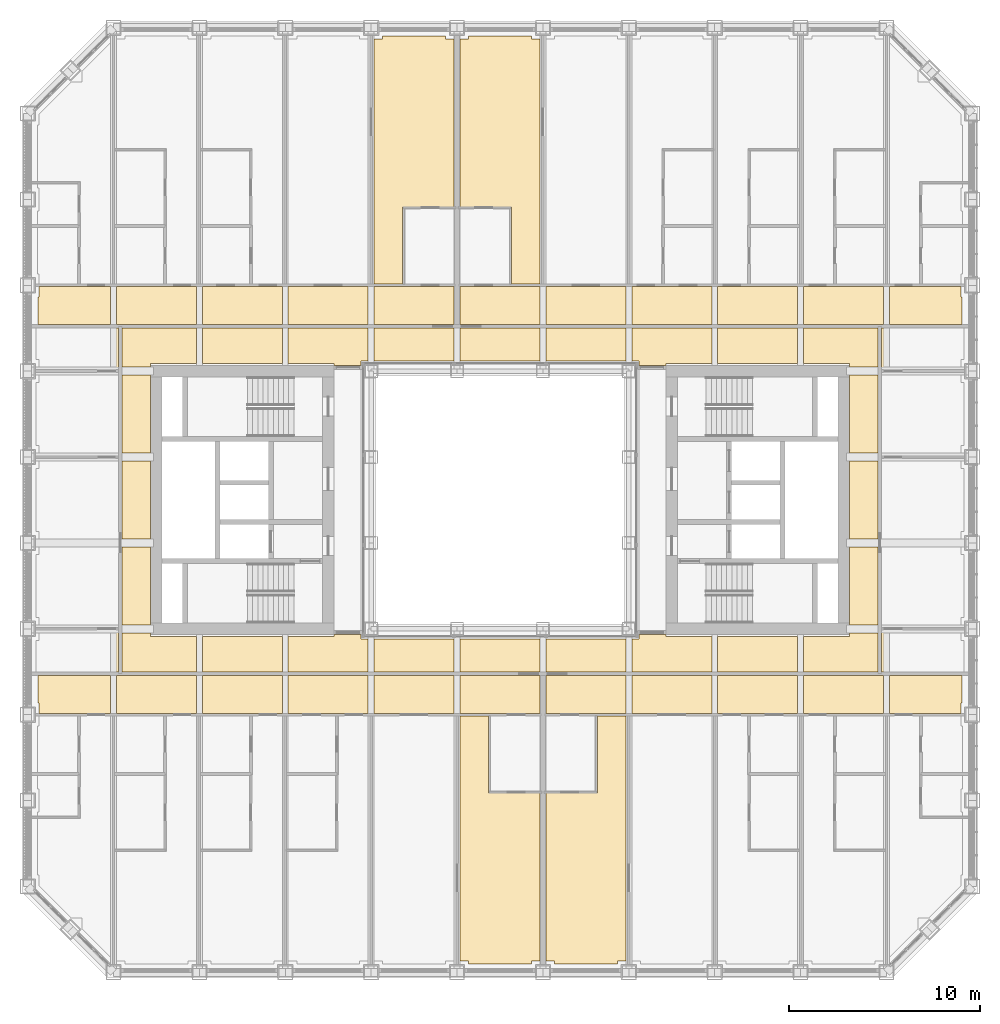
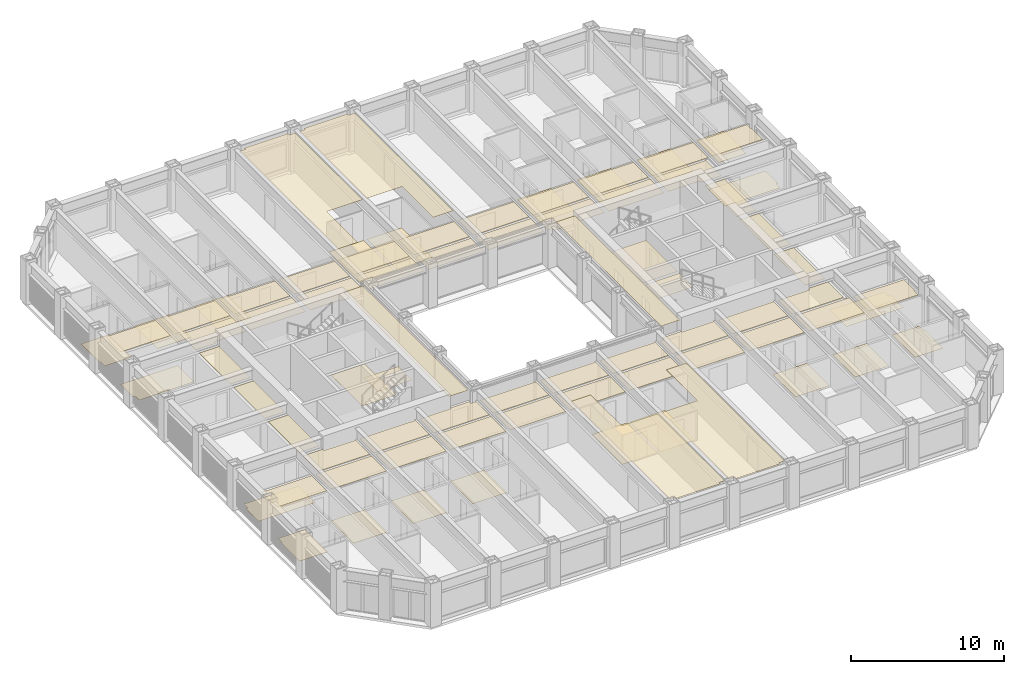
# One storey, part 19 of 21: 4 coverings.
"""IFC4 building model written with IfcOpenShell, lengths in metres."""

from ifc_helpers import new_model, si_unit, direction, frame, origin, place, context, subcontext, project, spatial, line, indexed_curve, outline, extrude, material, layer, layer_set, type_object, element, save


model = new_model("IFC4")

# Units and contexts
model_context = context("Model", 3, precision=1e-05, world=origin(), true_north=direction((0.0, 1.0)))
body_context = subcontext(model_context, "Body", "Model", "MODEL_VIEW")
ifc_project = project(units=[si_unit("LENGTHUNIT", "METRE"), si_unit("AREAUNIT", "SQUARE_METRE"), si_unit("VOLUMEUNIT", "CUBIC_METRE"), si_unit("PLANEANGLEUNIT", "RADIAN"), si_unit("MASSUNIT", "GRAM", prefix="KILO")], contexts=[model_context])

# Site, building, storey
site_placement = place(None, origin())
site = spatial("IfcSite", under=ifc_project, at=site_placement, CompositionType="ELEMENT")
building_placement = place(site_placement, origin())
building = spatial("IfcBuilding", under=site, at=building_placement, Name="Msasa Ring Tower", CompositionType="ELEMENT")
storey_placement = place(building_placement, frame((0.0, 0.0, 86.0)))
storey = spatial("IfcBuildingStorey", under=building, at=storey_placement, Name="L22", CompositionType="ELEMENT", Elevation=86.0)

# Coverings
ifc_material_1 = material(Name="Gypsum plasterboard on a steel suspension grid", Category="steel")
ifc_layer_1 = layer(ifc_material_1, 0.014892578125)
ifc_layer_set_1 = layer_set([ifc_layer_1], Name="C1 SUSPENDED PLASTERBOARD CEILING 15")
covering_type_1 = type_object("IfcCoveringType", Name="C1 SUSPENDED PLASTERBOARD CEILING 15", PredefinedType="CEILING", material=ifc_layer_set_1)
covering_1_placement = place(storey_placement, frame((0.0, 0.0, 2.39990234375)))
element("IfcCovering", 1, at=covering_1_placement, inside=storey, type_object=covering_type_1, Name="Suspended Plasterboard Ceiling 15 circulation L22", PredefinedType="CEILING", context=body_context, shape_type="SweptSolid", body=[
    extrude(outline(indexed_curve([(-24.1494140625, -11.18701171875), (-24.1494140625, -10.6494140625), (-24.199462890625, -10.6494140625), (-24.199462890625, -9.200439453125), (-20.404296875, -9.200439453125), (-20.404296875, -11.18701171875)], segments=[line(1, 2, 3, 4, 5, 6, 1)], self_intersect=False)), origin(), (0.0, 0.0, 1.0), 0.01513671875),
    extrude(outline(indexed_curve([(-24.199462890625, 9.200439453125), (-24.199462890625, 10.6494140625), (-24.1494140625, 10.6494140625), (-24.1494140625, 11.18701171875), (-20.404296875, 11.18701171875), (-20.404296875, 9.200439453125)], segments=[line(1, 2, 3, 4, 5, 6, 1)], self_intersect=False)), origin(), (0.0, 0.0, 1.0), 0.01513671875),
    extrude(outline(indexed_curve([(-20.095703125, -11.18701171875), (-20.095703125, -9.200439453125), (-15.904296875, -9.200439453125), (-15.904296875, -11.18701171875)], segments=[line(1, 2, 3, 4, 1)], self_intersect=False)), origin(), (0.0, 0.0, 1.0), 0.01513671875),
    extrude(outline(indexed_curve([(-20.095703125, 9.200439453125), (-20.095703125, 11.18701171875), (-15.904296875, 11.18701171875), (-15.904296875, 9.200439453125)], segments=[line(1, 2, 3, 4, 1)], self_intersect=False)), origin(), (0.0, 0.0, 1.0), 0.01513671875),
    extrude(outline(indexed_curve([(-19.799560546875, -8.99951171875), (-19.799560546875, -6.960693359375), (-18.300537109375, -6.960693359375), (-18.300537109375, -7.150390625), (-15.904296875, -7.150390625), (-15.904296875, -8.99951171875)], segments=[line(1, 2, 3, 4, 5, 6, 1)], self_intersect=False)), origin(), (0.0, 0.0, 1.0), 0.01513671875),
    extrude(outline(indexed_curve([(-19.799560546875, -2.460693359375), (-18.300537109375, -2.460693359375), (-18.300537109375, -6.539306640625), (-19.799560546875, -6.539306640625)], segments=[line(1, 2, 3, 4, 1)], self_intersect=False)), origin(), (0.0, 0.0, 1.0), 0.01513671875),
    extrude(outline(indexed_curve([(-19.799560546875, 2.039306640625), (-18.300537109375, 2.039306640625), (-18.300537109375, -2.039306640625), (-19.799560546875, -2.039306640625)], segments=[line(1, 2, 3, 4, 1)], self_intersect=False)), origin(), (0.0, 0.0, 1.0), 0.01513671875),
    extrude(outline(indexed_curve([(-19.799560546875, 6.539306640625), (-18.300537109375, 6.539306640625), (-18.300537109375, 2.460693359375), (-19.799560546875, 2.460693359375)], segments=[line(1, 2, 3, 4, 1)], self_intersect=False)), origin(), (0.0, 0.0, 1.0), 0.01513671875),
    extrude(outline(indexed_curve([(-19.799560546875, 8.99951171875), (-15.904296875, 8.99951171875), (-15.904296875, 7.150390625), (-18.300537109375, 7.150390625), (-18.300537109375, 6.960693359375), (-19.799560546875, 6.960693359375)], segments=[line(1, 2, 3, 4, 5, 6, 1)], self_intersect=False)), origin(), (0.0, 0.0, 1.0), 0.01513671875),
    extrude(outline(indexed_curve([(-15.595703125, -11.18701171875), (-15.595703125, -9.200439453125), (-11.404296875, -9.200439453125), (-11.404296875, -11.18701171875)], segments=[line(1, 2, 3, 4, 1)], self_intersect=False)), origin(), (0.0, 0.0, 1.0), 0.01513671875),
    extrude(outline(indexed_curve([(-15.595703125, -8.99951171875), (-15.595703125, -7.150390625), (-11.404296875, -7.150390625), (-11.404296875, -8.99951171875)], segments=[line(1, 2, 3, 4, 1)], self_intersect=False)), origin(), (0.0, 0.0, 1.0), 0.01513671875),
    extrude(outline(indexed_curve([(-11.404296875, 8.99951171875), (-11.404296875, 7.150390625), (-15.595703125, 7.150390625), (-15.595703125, 8.99951171875)], segments=[line(1, 2, 3, 4, 1)], self_intersect=False)), origin(), (0.0, 0.0, 1.0), 0.01513671875),
    extrude(outline(indexed_curve([(-15.595703125, 9.200439453125), (-15.595703125, 11.18701171875), (-11.404296875, 11.18701171875), (-11.404296875, 9.200439453125)], segments=[line(1, 2, 3, 4, 1)], self_intersect=False)), origin(), (0.0, 0.0, 1.0), 0.01513671875),
    extrude(outline(indexed_curve([(-11.87451171875, -3.074462890625), (-11.87451171875, -1.275390625), (-9.300537109375, -1.275390625), (-9.300537109375, -3.074462890625)], segments=[line(1, 2, 3, 4, 1)], self_intersect=False)), origin(), (0.0, 0.0, 1.0), 0.01513671875),
    extrude(outline(indexed_curve([(-11.095703125, -11.18701171875), (-11.095703125, -9.200439453125), (-6.904296875, -9.200439453125), (-6.904296875, -11.18701171875)], segments=[line(1, 2, 3, 4, 1)], self_intersect=False)), origin(), (0.0, 0.0, 1.0), 0.01513671875),
    extrude(outline(indexed_curve([(-11.095703125, -8.99951171875), (-11.095703125, -7.150390625), (-8.699462890625, -7.150390625), (-8.699462890625, -7.050537109375), (-7.280029296875, -7.050537109375), (-7.275390625, -7.275390625), (-6.904296875, -7.280029296875), (-6.904296875, -8.99951171875)], segments=[line(1, 2, 3, 4, 5, 6, 7, 8, 1)], self_intersect=False)), origin(), (0.0, 0.0, 1.0), 0.01513671875),
    extrude(outline(indexed_curve([(-6.904296875, 8.99951171875), (-6.904296875, 7.280029296875), (-7.275390625, 7.275390625), (-7.280029296875, 7.050537109375), (-8.699462890625, 7.050537109375), (-8.699462890625, 7.150390625), (-11.095703125, 7.150390625), (-11.095703125, 8.99951171875)], segments=[line(1, 2, 3, 4, 5, 6, 7, 8, 1)], self_intersect=False)), origin(), (0.0, 0.0, 1.0), 0.01513671875),
    extrude(outline(indexed_curve([(-11.095703125, 9.200439453125), (-11.095703125, 11.18701171875), (-6.904296875, 11.18701171875), (-6.904296875, 9.200439453125)], segments=[line(1, 2, 3, 4, 1)], self_intersect=False)), origin(), (0.0, 0.0, 1.0), 0.01513671875),
    extrude(outline(indexed_curve([(-6.595703125, -11.18701171875), (-6.595703125, -9.200439453125), (-2.404296875, -9.200439453125), (-2.404296875, -11.18701171875)], segments=[line(1, 2, 3, 4, 1)], self_intersect=False)), origin(), (0.0, 0.0, 1.0), 0.01513671875),
    extrude(outline(indexed_curve([(-6.595703125, -8.99951171875), (-6.595703125, -7.280029296875), (-2.404296875, -7.280029296875), (-2.404296875, -8.99951171875)], segments=[line(1, 2, 3, 4, 1)], self_intersect=False)), origin(), (0.0, 0.0, 1.0), 0.01513671875),
    extrude(outline(indexed_curve([(-2.404296875, 8.99951171875), (-2.404296875, 7.280029296875), (-6.595703125, 7.280029296875), (-6.595703125, 8.99951171875)], segments=[line(1, 2, 3, 4, 1)], self_intersect=False)), origin(), (0.0, 0.0, 1.0), 0.01513671875),
    extrude(outline(indexed_curve([(-6.595703125, 9.200439453125), (-6.595703125, 11.18701171875), (-2.404296875, 11.18701171875), (-2.404296875, 9.200439453125)], segments=[line(1, 2, 3, 4, 1)], self_intersect=False)), origin(), (0.0, 0.0, 1.0), 0.01513671875),
    extrude(outline(indexed_curve([(-2.095703125, -11.18701171875), (-2.095703125, -9.200439453125), (2.095703125, -9.200439453125), (2.095703125, -11.18701171875)], segments=[line(1, 2, 3, 4, 1)], self_intersect=False)), origin(), (0.0, 0.0, 1.0), 0.01513671875),
    extrude(outline(indexed_curve([(-2.095703125, -8.99951171875), (-2.095703125, -7.280029296875), (2.095703125, -7.280029296875), (2.095703125, -8.99951171875)], segments=[line(1, 2, 3, 4, 1)], self_intersect=False)), origin(), (0.0, 0.0, 1.0), 0.01513671875),
    extrude(outline(indexed_curve([(2.095703125, 8.99951171875), (2.095703125, 7.280029296875), (-2.095703125, 7.280029296875), (-2.095703125, 8.99951171875)], segments=[line(1, 2, 3, 4, 1)], self_intersect=False)), origin(), (0.0, 0.0, 1.0), 0.01513671875),
    extrude(outline(indexed_curve([(-2.095703125, 9.200439453125), (-2.095703125, 11.18701171875), (2.095703125, 11.18701171875), (2.095703125, 9.200439453125)], segments=[line(1, 2, 3, 4, 1)], self_intersect=False)), origin(), (0.0, 0.0, 1.0), 0.01513671875),
    extrude(outline(indexed_curve([(2.404296875, -11.18701171875), (2.404296875, -9.200439453125), (6.595703125, -9.200439453125), (6.595703125, -11.18701171875)], segments=[line(1, 2, 3, 4, 1)], self_intersect=False)), origin(), (0.0, 0.0, 1.0), 0.01513671875),
    extrude(outline(indexed_curve([(2.404296875, -8.99951171875), (2.404296875, -7.280029296875), (6.595703125, -7.280029296875), (6.595703125, -8.99951171875)], segments=[line(1, 2, 3, 4, 1)], self_intersect=False)), origin(), (0.0, 0.0, 1.0), 0.01513671875),
    extrude(outline(indexed_curve([(6.595703125, 8.99951171875), (6.595703125, 7.280029296875), (2.404296875, 7.280029296875), (2.404296875, 8.99951171875)], segments=[line(1, 2, 3, 4, 1)], self_intersect=False)), origin(), (0.0, 0.0, 1.0), 0.01513671875),
    extrude(outline(indexed_curve([(2.404296875, 9.200439453125), (2.404296875, 11.18701171875), (6.595703125, 11.18701171875), (6.595703125, 9.200439453125)], segments=[line(1, 2, 3, 4, 1)], self_intersect=False)), origin(), (0.0, 0.0, 1.0), 0.01513671875),
    extrude(outline(indexed_curve([(6.904296875, -11.18701171875), (6.904296875, -9.200439453125), (11.095703125, -9.200439453125), (11.095703125, -11.18701171875)], segments=[line(1, 2, 3, 4, 1)], self_intersect=False)), origin(), (0.0, 0.0, 1.0), 0.01513671875),
    extrude(outline(indexed_curve([(6.904296875, -8.99951171875), (6.904296875, -7.280029296875), (7.275390625, -7.275390625), (7.280029296875, -7.050537109375), (8.699462890625, -7.050537109375), (8.699462890625, -7.150390625), (11.095703125, -7.150390625), (11.095703125, -8.99951171875)], segments=[line(1, 2, 3, 4, 5, 6, 7, 8, 1)], self_intersect=False)), origin(), (0.0, 0.0, 1.0), 0.01513671875),
    extrude(outline(indexed_curve([(11.095703125, 8.99951171875), (11.095703125, 7.150390625), (8.699462890625, 7.150390625), (8.699462890625, 7.050537109375), (7.280029296875, 7.050537109375), (7.275390625, 7.275390625), (6.904296875, 7.280029296875), (6.904296875, 8.99951171875)], segments=[line(1, 2, 3, 4, 5, 6, 7, 8, 1)], self_intersect=False)), origin(), (0.0, 0.0, 1.0), 0.01513671875),
    extrude(outline(indexed_curve([(6.904296875, 9.200439453125), (6.904296875, 11.18701171875), (11.095703125, 11.18701171875), (11.095703125, 9.200439453125)], segments=[line(1, 2, 3, 4, 1)], self_intersect=False)), origin(), (0.0, 0.0, 1.0), 0.01513671875),
    extrude(outline(indexed_curve([(9.300537109375, -3.074462890625), (9.300537109375, -1.275390625), (11.87451171875, -1.275390625), (11.87451171875, -3.074462890625)], segments=[line(1, 2, 3, 4, 1)], self_intersect=False)), origin(), (0.0, 0.0, 1.0), 0.01513671875),
    extrude(outline(indexed_curve([(9.300537109375, -1.0244140625), (9.300537109375, 3.074462890625), (11.87451171875, 3.074462890625), (11.87451171875, -1.0244140625)], segments=[line(1, 2, 3, 4, 1)], self_intersect=False)), origin(), (0.0, 0.0, 1.0), 0.01513671875),
    extrude(outline(indexed_curve([(11.404296875, -11.18701171875), (11.404296875, -9.200439453125), (15.595703125, -9.200439453125), (15.595703125, -11.18701171875)], segments=[line(1, 2, 3, 4, 1)], self_intersect=False)), origin(), (0.0, 0.0, 1.0), 0.01513671875),
    extrude(outline(indexed_curve([(11.404296875, -8.99951171875), (11.404296875, -7.150390625), (15.595703125, -7.150390625), (15.595703125, -8.99951171875)], segments=[line(1, 2, 3, 4, 1)], self_intersect=False)), origin(), (0.0, 0.0, 1.0), 0.01513671875),
    extrude(outline(indexed_curve([(15.595703125, 8.99951171875), (15.595703125, 7.150390625), (11.404296875, 7.150390625), (11.404296875, 8.99951171875)], segments=[line(1, 2, 3, 4, 1)], self_intersect=False)), origin(), (0.0, 0.0, 1.0), 0.01513671875),
    extrude(outline(indexed_curve([(11.404296875, 9.200439453125), (11.404296875, 11.18701171875), (15.595703125, 11.18701171875), (15.595703125, 9.200439453125)], segments=[line(1, 2, 3, 4, 1)], self_intersect=False)), origin(), (0.0, 0.0, 1.0), 0.01513671875),
    extrude(outline(indexed_curve([(15.904296875, -11.18701171875), (15.904296875, -9.200439453125), (20.095703125, -9.200439453125), (20.095703125, -11.18701171875)], segments=[line(1, 2, 3, 4, 1)], self_intersect=False)), origin(), (0.0, 0.0, 1.0), 0.01513671875),
    extrude(outline(indexed_curve([(15.904296875, -8.99951171875), (15.904296875, -7.150390625), (18.300537109375, -7.150390625), (18.300537109375, -6.960693359375), (19.799560546875, -6.960693359375), (19.799560546875, -8.99951171875)], segments=[line(1, 2, 3, 4, 5, 6, 1)], self_intersect=False)), origin(), (0.0, 0.0, 1.0), 0.01513671875),
    extrude(outline(indexed_curve([(19.799560546875, 8.99951171875), (19.799560546875, 6.960693359375), (18.300537109375, 6.960693359375), (18.300537109375, 7.150390625), (15.904296875, 7.150390625), (15.904296875, 8.99951171875)], segments=[line(1, 2, 3, 4, 5, 6, 1)], self_intersect=False)), origin(), (0.0, 0.0, 1.0), 0.01513671875),
    extrude(outline(indexed_curve([(15.904296875, 9.200439453125), (15.904296875, 11.18701171875), (20.095703125, 11.18701171875), (20.095703125, 9.200439453125)], segments=[line(1, 2, 3, 4, 1)], self_intersect=False)), origin(), (0.0, 0.0, 1.0), 0.01513671875),
    extrude(outline(indexed_curve([(19.799560546875, -6.539306640625), (18.300537109375, -6.539306640625), (18.300537109375, -2.460693359375), (19.799560546875, -2.460693359375)], segments=[line(1, 2, 3, 4, 1)], self_intersect=False)), origin(), (0.0, 0.0, 1.0), 0.01513671875),
    extrude(outline(indexed_curve([(19.799560546875, -2.039306640625), (18.300537109375, -2.039306640625), (18.300537109375, 2.039306640625), (19.799560546875, 2.039306640625)], segments=[line(1, 2, 3, 4, 1)], self_intersect=False)), origin(), (0.0, 0.0, 1.0), 0.01513671875),
    extrude(outline(indexed_curve([(19.799560546875, 2.460693359375), (18.300537109375, 2.460693359375), (18.300537109375, 6.539306640625), (19.799560546875, 6.539306640625)], segments=[line(1, 2, 3, 4, 1)], self_intersect=False)), origin(), (0.0, 0.0, 1.0), 0.01513671875),
    extrude(outline(indexed_curve([(20.404296875, -11.18701171875), (20.404296875, -9.200439453125), (24.199462890625, -9.200439453125), (24.199462890625, -10.6494140625), (24.1494140625, -10.6494140625), (24.1494140625, -11.18701171875)], segments=[line(1, 2, 3, 4, 5, 6, 1)], self_intersect=False)), origin(), (0.0, 0.0, 1.0), 0.01513671875),
    extrude(outline(indexed_curve([(20.404296875, 9.200439453125), (20.404296875, 11.18701171875), (24.1494140625, 11.18701171875), (24.1494140625, 10.6494140625), (24.199462890625, 10.6494140625), (24.199462890625, 9.200439453125)], segments=[line(1, 2, 3, 4, 5, 6, 1)], self_intersect=False)), origin(), (0.0, 0.0, 1.0), 0.01513671875),
])
covering_2_placement = place(storey_placement, frame((0.0, 0.0, 3.175048828125)))
element("IfcCovering", 2, at=covering_2_placement, inside=storey, type_object=covering_type_1, Name="Suspended Plasterboard Ceiling 15 public rooms L22", PredefinedType="CEILING", context=body_context, shape_type="SweptSolid", body=[
    extrude(outline(indexed_curve([(-8.699462890625, -6.849609375), (-8.699462890625, 6.849609375), (-7.280029296875, 6.849609375), (-7.280029296875, -6.849609375)], segments=[line(1, 2, 3, 4, 1)], self_intersect=False)), origin(), (0.0, 0.0, 1.0), 0.014892578125),
    extrude(outline(indexed_curve([(-5.1005859375, 11.31298828125), (-6.595703125, 11.31298828125), (-6.595703125, 24.1494140625), (-6.1494140625, 24.1494140625), (-6.1494140625, 24.299560546875), (-2.8505859375, 24.299560546875), (-2.8505859375, 24.1494140625), (-2.404296875, 24.1494140625), (-2.404296875, 15.363037109375), (-5.1005859375, 15.363037109375)], segments=[line(1, 2, 3, 4, 5, 6, 7, 8, 9, 10, 1)], self_intersect=False)), origin(), (0.0, 0.0, 1.0), 0.014892578125),
    extrude(outline(indexed_curve([(2.095703125, -15.363037109375), (2.095703125, -24.1494140625), (1.6494140625, -24.1494140625), (1.6494140625, -24.299560546875), (-1.6494140625, -24.299560546875), (-1.6494140625, -24.1494140625), (-2.095703125, -24.1494140625), (-2.095703125, -11.31298828125), (-0.6005859375, -11.31298828125), (-0.6005859375, -15.363037109375)], segments=[line(1, 2, 3, 4, 5, 6, 7, 8, 9, 10, 1)], self_intersect=False)), origin(), (0.0, 0.0, 1.0), 0.014892578125),
    extrude(outline(indexed_curve([(1.6494140625, 24.299560546875), (1.6494140625, 24.1494140625), (2.095703125, 24.1494140625), (2.095703125, 11.31298828125), (0.6005859375, 11.31298828125), (0.6005859375, 15.363037109375), (-2.095703125, 15.363037109375), (-2.095703125, 24.1494140625), (-1.6494140625, 24.1494140625), (-1.6494140625, 24.299560546875)], segments=[line(1, 2, 3, 4, 5, 6, 7, 8, 9, 10, 1)], self_intersect=False)), origin(), (0.0, 0.0, 1.0), 0.014892578125),
    extrude(outline(indexed_curve([(5.1005859375, -11.31298828125), (6.595703125, -11.31298828125), (6.595703125, -24.1494140625), (6.1494140625, -24.1494140625), (6.1494140625, -24.299560546875), (2.8505859375, -24.299560546875), (2.8505859375, -24.1494140625), (2.404296875, -24.1494140625), (2.404296875, -15.363037109375), (5.1005859375, -15.363037109375)], segments=[line(1, 2, 3, 4, 5, 6, 7, 8, 9, 10, 1)], self_intersect=False)), origin(), (0.0, 0.0, 1.0), 0.014892578125),
    extrude(outline(indexed_curve([(8.699462890625, -6.849609375), (7.280029296875, -6.849609375), (7.280029296875, 6.849609375), (8.699462890625, 6.849609375)], segments=[line(1, 2, 3, 4, 1)], self_intersect=False)), origin(), (0.0, 0.0, 1.0), 0.014892578125),
])
ifc_material_2 = material(Name="Porcelain floor tiles in adhesive", Category="ceramic")
ifc_layer_2 = layer(ifc_material_2, 0.010009765625)
ifc_layer_set_2 = layer_set([ifc_layer_2], Name="F4 PORCELAIN TILE ON ADHESIVE 10")
covering_type_2 = type_object("IfcCoveringType", Name="F4 PORCELAIN TILE ON ADHESIVE 10", PredefinedType="FLOORING", material=ifc_layer_set_2)
covering_3_placement = place(storey_placement, origin())
element("IfcCovering", 3, at=covering_3_placement, inside=storey, type_object=covering_type_2, Name="Porcelain Tile On Adhesive 10 L22", PredefinedType="FLOORING", context=body_context, shape_type="SweptSolid", body=[
    extrude(outline(indexed_curve([(-24.1494140625, 6.83056640625), (-24.1494140625, 7.3505859375), (-24.299560546875, 7.3505859375), (-24.299560546875, 8.99951171875), (-20.00048828125, 8.99951171875), (-20.00048828125, 6.83056640625)], segments=[line(1, 2, 3, 4, 5, 6, 1)], self_intersect=False)), origin(), (0.0, 0.0, 1.0), 0.010009765625),
    extrude(outline(indexed_curve([(-22.12548828125, -11.31298828125), (-22.12548828125, -14.2744140625), (-24.239501953125, -14.2744140625), (-24.239501953125, -11.8505859375), (-24.1494140625, -11.8505859375), (-24.1494140625, -11.31298828125)], segments=[line(1, 2, 3, 4, 5, 6, 1)], self_intersect=False)), origin(), (0.0, 0.0, 1.0), 0.010009765625),
    extrude(outline(indexed_curve([(-24.1494140625, 11.31298828125), (-24.1494140625, 11.8505859375), (-24.239501953125, 11.8505859375), (-24.239501953125, 14.2744140625), (-22.12548828125, 14.2744140625), (-22.12548828125, 11.31298828125)], segments=[line(1, 2, 3, 4, 5, 6, 1)], self_intersect=False)), origin(), (0.0, 0.0, 1.0), 0.010009765625),
    extrude(outline(indexed_curve([(-17.62548828125, -11.31298828125), (-17.62548828125, -14.2744140625), (-20.18701171875, -14.2744140625), (-20.18701171875, -11.31298828125)], segments=[line(1, 2, 3, 4, 1)], self_intersect=False)), origin(), (0.0, 0.0, 1.0), 0.010009765625),
    extrude(outline(indexed_curve([(-20.18701171875, 11.31298828125), (-20.18701171875, 14.2744140625), (-17.62548828125, 14.2744140625), (-17.62548828125, 11.31298828125)], segments=[line(1, 2, 3, 4, 1)], self_intersect=False)), origin(), (0.0, 0.0, 1.0), 0.010009765625),
    extrude(outline(indexed_curve([(-13.12548828125, -11.31298828125), (-13.12548828125, -14.2744140625), (-15.68701171875, -14.2744140625), (-15.68701171875, -11.31298828125)], segments=[line(1, 2, 3, 4, 1)], self_intersect=False)), origin(), (0.0, 0.0, 1.0), 0.010009765625),
    extrude(outline(indexed_curve([(-15.68701171875, 11.31298828125), (-15.68701171875, 14.2744140625), (-13.12548828125, 14.2744140625), (-13.12548828125, 11.31298828125)], segments=[line(1, 2, 3, 4, 1)], self_intersect=False)), origin(), (0.0, 0.0, 1.0), 0.010009765625),
    extrude(outline(indexed_curve([(-8.62548828125, -11.31298828125), (-8.62548828125, -14.2744140625), (-11.18701171875, -14.2744140625), (-11.18701171875, -11.31298828125)], segments=[line(1, 2, 3, 4, 1)], self_intersect=False)), origin(), (0.0, 0.0, 1.0), 0.010009765625),
    extrude(outline(indexed_curve([(8.62548828125, 11.31298828125), (8.62548828125, 14.2744140625), (11.18701171875, 14.2744140625), (11.18701171875, 11.31298828125)], segments=[line(1, 2, 3, 4, 1)], self_intersect=False)), origin(), (0.0, 0.0, 1.0), 0.010009765625),
    extrude(outline(indexed_curve([(15.68701171875, -11.31298828125), (15.68701171875, -14.2744140625), (13.12548828125, -14.2744140625), (13.12548828125, -11.31298828125)], segments=[line(1, 2, 3, 4, 1)], self_intersect=False)), origin(), (0.0, 0.0, 1.0), 0.010009765625),
    extrude(outline(indexed_curve([(13.12548828125, 11.31298828125), (13.12548828125, 14.2744140625), (15.68701171875, 14.2744140625), (15.68701171875, 11.31298828125)], segments=[line(1, 2, 3, 4, 1)], self_intersect=False)), origin(), (0.0, 0.0, 1.0), 0.010009765625),
    extrude(outline(indexed_curve([(20.18701171875, -11.31298828125), (20.18701171875, -14.2744140625), (17.62548828125, -14.2744140625), (17.62548828125, -11.31298828125)], segments=[line(1, 2, 3, 4, 1)], self_intersect=False)), origin(), (0.0, 0.0, 1.0), 0.010009765625),
    extrude(outline(indexed_curve([(17.62548828125, 11.31298828125), (17.62548828125, 14.2744140625), (20.18701171875, 14.2744140625), (20.18701171875, 11.31298828125)], segments=[line(1, 2, 3, 4, 1)], self_intersect=False)), origin(), (0.0, 0.0, 1.0), 0.010009765625),
    extrude(outline(indexed_curve([(20.00048828125, 8.99951171875), (24.299560546875, 8.99951171875), (24.299560546875, 7.3505859375), (24.1494140625, 7.3505859375), (24.1494140625, 6.83056640625), (20.00048828125, 6.83056640625)], segments=[line(1, 2, 3, 4, 5, 6, 1)], self_intersect=False)), origin(), (0.0, 0.0, 1.0), 0.010009765625),
    extrude(outline(indexed_curve([(24.1494140625, -11.31298828125), (24.1494140625, -11.8505859375), (24.239501953125, -11.8505859375), (24.239501953125, -14.2744140625), (22.12548828125, -14.2744140625), (22.12548828125, -11.31298828125)], segments=[line(1, 2, 3, 4, 5, 6, 1)], self_intersect=False)), origin(), (0.0, 0.0, 1.0), 0.010009765625),
    extrude(outline(indexed_curve([(24.239501953125, 11.8505859375), (24.1494140625, 11.8505859375), (24.1494140625, 11.31298828125), (22.12548828125, 11.31298828125), (22.12548828125, 14.2744140625), (24.239501953125, 14.2744140625)], segments=[line(1, 2, 3, 4, 5, 6, 1)], self_intersect=False)), origin(), (0.0, 0.0, 1.0), 0.010009765625),
])
ifc_material_3 = material(Name="Welded vinyl safety sheet flooring", Category="vinyl")
ifc_layer_3 = layer(ifc_material_3, 0.0029296875)
ifc_layer_set_3 = layer_set([ifc_layer_3], Name="F5 RESILIENT SHEET FLOORING 3")
covering_type_3 = type_object("IfcCoveringType", Name="F5 RESILIENT SHEET FLOORING 3", PredefinedType="FLOORING", material=ifc_layer_set_3)
covering_4_placement = place(storey_placement, origin())
element("IfcCovering", 4, at=covering_4_placement, inside=storey, type_object=covering_type_3, Name="Resilient Sheet Flooring 3 L22", PredefinedType="FLOORING", context=body_context, shape_type="SweptSolid", body=[
    extrude(outline(indexed_curve([(-20.00048828125, -8.99951171875), (-24.299560546875, -8.99951171875), (-24.299560546875, -7.3505859375), (-24.1494140625, -7.3505859375), (-24.1494140625, -6.805419921875), (-20.00048828125, -6.805419921875)], segments=[line(1, 2, 3, 4, 5, 6, 1)], self_intersect=False)), origin(), (0.0, 0.0, 1.0), 0.0029296875),
    extrude(outline(indexed_curve([(-11.87451171875, 3.074462890625), (-9.300537109375, 3.074462890625), (-9.300537109375, -1.0244140625), (-11.87451171875, -1.0244140625)], segments=[line(1, 2, 3, 4, 1)], self_intersect=False)), origin(), (0.0, 0.0, 1.0), 0.0029296875),
    extrude(outline(indexed_curve([(-2.37548828125, 15.261962890625), (-2.37548828125, 11.31298828125), (-4.99951171875, 11.31298828125), (-4.99951171875, 15.261962890625)], segments=[line(1, 2, 3, 4, 1)], self_intersect=False)), origin(), (0.0, 0.0, 1.0), 0.0029296875),
    extrude(outline(indexed_curve([(0.49951171875, 15.261962890625), (0.49951171875, 11.31298828125), (-2.12451171875, 11.31298828125), (-2.12451171875, 15.261962890625)], segments=[line(1, 2, 3, 4, 1)], self_intersect=False)), origin(), (0.0, 0.0, 1.0), 0.0029296875),
    extrude(outline(indexed_curve([(-0.49951171875, -15.261962890625), (-0.49951171875, -11.31298828125), (2.12451171875, -11.31298828125), (2.12451171875, -15.261962890625)], segments=[line(1, 2, 3, 4, 1)], self_intersect=False)), origin(), (0.0, 0.0, 1.0), 0.0029296875),
    extrude(outline(indexed_curve([(4.99951171875, -11.31298828125), (4.99951171875, -15.261962890625), (2.37548828125, -15.261962890625), (2.37548828125, -11.31298828125)], segments=[line(1, 2, 3, 4, 1)], self_intersect=False)), origin(), (0.0, 0.0, 1.0), 0.0029296875),
    extrude(outline(indexed_curve([(20.00048828125, -8.99951171875), (20.00048828125, -6.805419921875), (24.1494140625, -6.805419921875), (24.1494140625, -7.3505859375), (24.299560546875, -7.3505859375), (24.299560546875, -8.99951171875)], segments=[line(1, 2, 3, 4, 5, 6, 1)], self_intersect=False)), origin(), (0.0, 0.0, 1.0), 0.0029296875),
])

save(model, "model.ifc")
